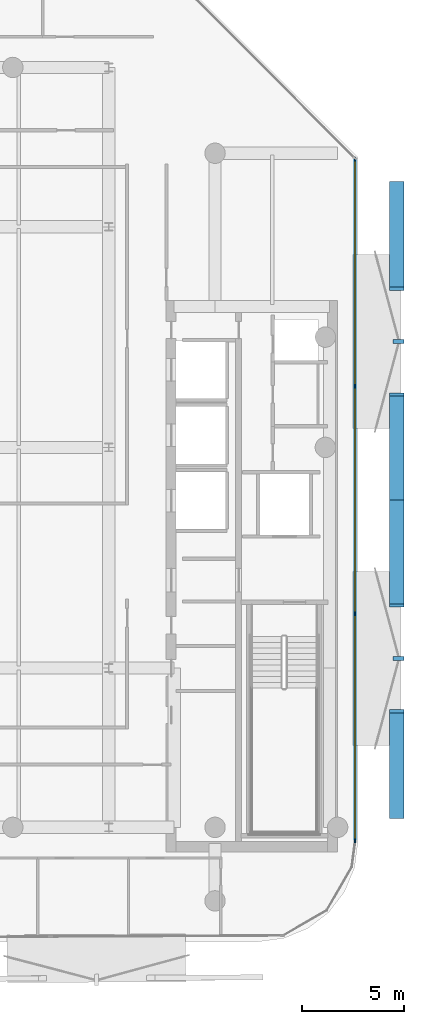
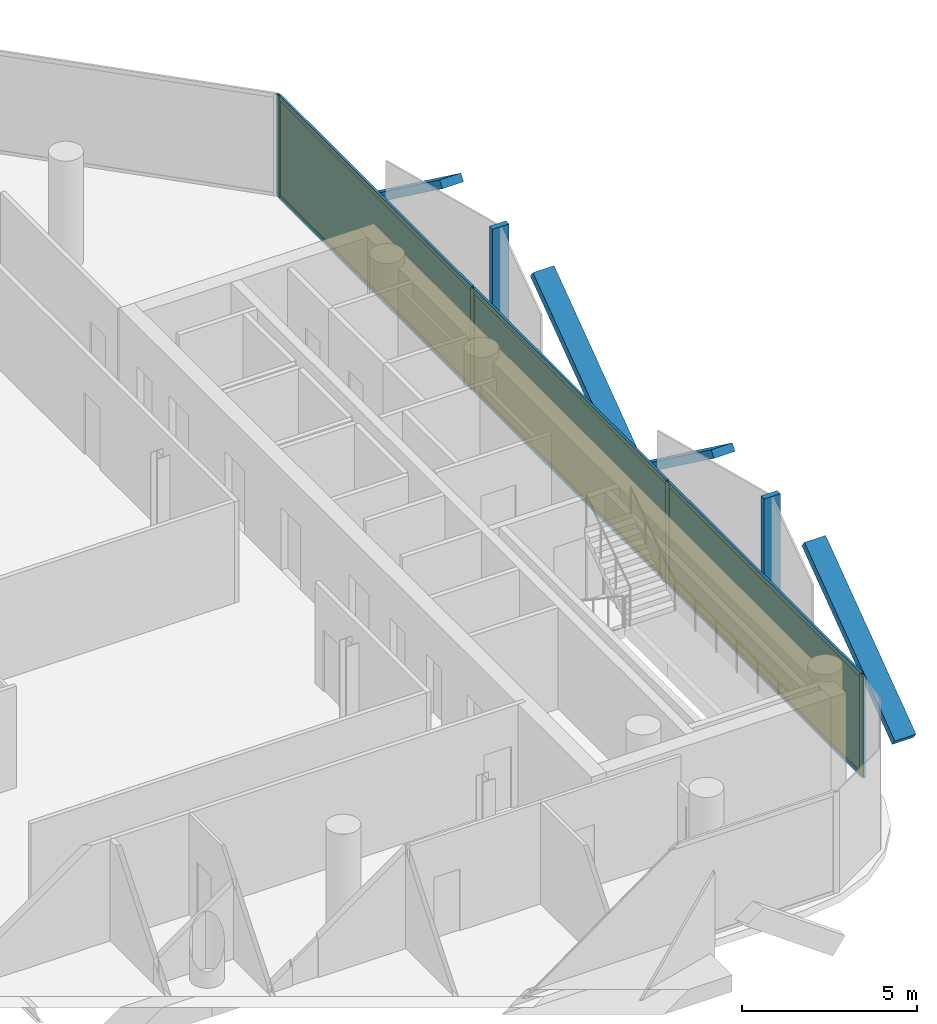
# One storey, part 11 of 16: 16 members, 3 plates, 1 curtain wall.
"""IFC4 building model written with IfcOpenShell, lengths in metres."""

import ifcopenshell
import ifcopenshell.guid

model = None  # the IFC model being written
_history = None  # IfcOwnerHistory: only IFC2X3 demands one
_inside = {}  # id of a spatial element -> (the spatial element, [elements in it])
_under = {}  # id of a project, library or spatial element -> (it, [spatial elements below it])
_declared = {}  # id of a project -> (the project, [libraries it declares])
_typed = {}  # id of a type object -> (the type object, [elements of that type])
_made_of = {}  # id of a material, layer set ... -> (it, [elements and type objects made of it])


def new_model(schema):
    """Start an empty IFC model of exactly this schema.

    Asked for "IFC4X3", IfcOpenShell would pick the latest addendum, in which some entities
    have other attributes; the version numbers below select the first issue.
    IFC2X3 requires an IfcOwnerHistory on every rooted entity: one is made here for all.
    """
    global model, _history
    if schema == "IFC4X3":
        model = ifcopenshell.file(schema_version=(4, 3, 0, 0))
    else:
        model = ifcopenshell.file(schema=schema)
    _inside.clear()
    _under.clear()
    _declared.clear()
    _typed.clear()
    _made_of.clear()
    _history = None
    if model.schema == "IFC2X3":
        org = make("IfcOrganization", Name="unknown")
        user = make(
            "IfcPersonAndOrganization",
            ThePerson=make("IfcPerson", FamilyName="unknown"),
            TheOrganization=org,
        )
        app = make(
            "IfcApplication",
            ApplicationDeveloper=org,
            Version="unknown",
            ApplicationFullName="unknown",
            ApplicationIdentifier="unknown",
        )
        _history = make(
            "IfcOwnerHistory",
            OwningUser=user,
            OwningApplication=app,
            ChangeAction="ADDED",
            CreationDate=0,
        )
    return model


def make(cls, **values):
    """One entity of the class cls with the attributes given. An attribute that is None is left unset."""
    return model.create_entity(
        cls, **{name: value for name, value in values.items() if value is not None}
    )


def rooted(cls, **values):
    """An entity with a GlobalId (a new one), such as an element, a storey or a relation."""
    return make(cls, GlobalId=ifcopenshell.guid.new(), OwnerHistory=_history, **values)


def si_unit(unit_type, name, prefix=None):
    """IfcSIUnit, for example si_unit("LENGTHUNIT", "METRE", prefix="MILLI")."""
    return make("IfcSIUnit", UnitType=unit_type, Prefix=prefix, Name=name)


def assignment(units):
    """IfcUnitAssignment: the units of a project."""
    return None if units is None else make("IfcUnitAssignment", Units=units)


def point(xyz):
    """IfcCartesianPoint."""
    return None if xyz is None else make("IfcCartesianPoint", Coordinates=xyz)


def direction(xyz):
    """IfcDirection."""
    return None if xyz is None else make("IfcDirection", DirectionRatios=xyz)


def frame(location, z_axis=None, x_axis=None):
    """IfcAxis2Placement3D, a coordinate frame: its origin and axes. An axis left out is left unset."""
    return make(
        "IfcAxis2Placement3D",
        Location=point(location),
        Axis=direction(z_axis),
        RefDirection=direction(x_axis),
    )


def frame_2d(location, x_axis=None):
    """IfcAxis2Placement2D, a coordinate frame in the plane: its origin and x axis."""
    return make(
        "IfcAxis2Placement2D", Location=point(location), RefDirection=direction(x_axis)
    )


def origin():
    """The frame at (0, 0, 0) with its axes left unset."""
    return frame((0.0, 0.0, 0.0))


def origin_2d():
    """The frame at (0, 0) in the plane with its x axis left unset."""
    return frame_2d((0.0, 0.0))


def place(relative_to, where):
    """IfcLocalPlacement: puts the frame where relative to a parent placement (None: the world)."""
    return make(
        "IfcLocalPlacement", PlacementRelTo=relative_to, RelativePlacement=where
    )


def context(
    kind, dimensions, precision=None, world=None, true_north=None, identifier=None
):
    """IfcGeometricRepresentationContext, for example the 3D "Model" context."""
    return make(
        "IfcGeometricRepresentationContext",
        ContextIdentifier=identifier,
        ContextType=kind,
        CoordinateSpaceDimension=dimensions,
        Precision=precision,
        WorldCoordinateSystem=world,
        TrueNorth=true_north,
    )


def subcontext(parent, identifier, kind, view, scale=None):
    """IfcGeometricRepresentationSubContext, for example "Body" below "Model"."""
    return make(
        "IfcGeometricRepresentationSubContext",
        ContextIdentifier=identifier,
        ContextType=kind,
        ParentContext=parent,
        TargetScale=scale,
        TargetView=view,
    )


def project(units=None, contexts=None):
    """IfcProject with its units and contexts."""
    return rooted(
        "IfcProject",
        Name="project",
        RepresentationContexts=contexts,
        UnitsInContext=assignment(units),
    )


def spatial(cls, under=None, at=None, **own):
    """A site, building, storey or space (cls), placed at a placement, below another one or the project."""
    s = rooted(cls, ObjectPlacement=at, **own)
    if under is not None:
        _under.setdefault(under.id(), (under, []))[1].append(s)
    return s


def profile(cls, at=None, kind="AREA", **sizes):
    """A parametric profile (cls). Its sizes go by their IFC names, for example OverallWidth=200.0."""
    return make(cls, ProfileType=kind, Position=at, **sizes)


def rectangle(**sizes):
    """IfcRectangleProfileDef."""
    return profile("IfcRectangleProfileDef", **sizes)


def extrude(swept, where, along, depth):
    """IfcExtrudedAreaSolid: the profile swept, set in the frame where, extruded along a direction by depth."""
    return make(
        "IfcExtrudedAreaSolid",
        SweptArea=swept,
        Position=where,
        ExtrudedDirection=direction(along),
        Depth=depth,
    )


def shape(context_of_items, identifier, shape_type, items):
    """IfcShapeRepresentation: the items that make up one representation, for example the "Body"."""
    return make(
        "IfcShapeRepresentation",
        ContextOfItems=context_of_items,
        RepresentationIdentifier=identifier,
        RepresentationType=shape_type,
        Items=items,
    )


def material(Name=None, Category=None):
    """IfcMaterial."""
    return make("IfcMaterial", Name=Name, Category=Category)


def layer(
    of_material, thickness, ventilated=None, Name=None, Category=None, Priority=None
):
    """IfcMaterialLayer: one layer of a wall or slab, of a material (None: an air gap)."""
    return make(
        "IfcMaterialLayer",
        Material=of_material,
        LayerThickness=thickness,
        IsVentilated=ventilated,
        Name=Name,
        Category=Category,
        Priority=Priority,
    )


def layer_set(layers, Name=None):
    """IfcMaterialLayerSet."""
    return make("IfcMaterialLayerSet", MaterialLayers=layers, LayerSetName=Name)


def material_profile(
    of_material, cross_section, Name=None, Category=None, Priority=None
):
    """IfcMaterialProfile: a cross section and its material."""
    return make(
        "IfcMaterialProfile",
        Name=Name,
        Material=of_material,
        Profile=cross_section,
        Priority=Priority,
        Category=Category,
    )


def profile_set(profiles, Name=None, composite=None):
    """IfcMaterialProfileSet."""
    return make(
        "IfcMaterialProfileSet",
        Name=Name,
        MaterialProfiles=profiles,
        CompositeProfile=composite,
    )


def made_of(thing, what):
    """Note that an element or type object is made of a material, layer set ...; save() writes the relation."""
    if what is not None:
        _made_of.setdefault(what.id(), (what, []))[1].append(thing)
    return thing


def type_object(cls, material=None, **own):
    """A type object (cls), such as IfcWallType, which elements share."""
    return made_of(rooted(cls, **own), material)


def element(
    cls,
    number,
    at=None,
    inside=None,
    cuts=None,
    type_object=None,
    material=None,
    context=None,
    identifier="Body",
    shape_type=None,
    held_by="IfcProductDefinitionShape",
    body=None,
    shapes=None,
    **own,
):
    """One element of the class cls, such as IfcWall. Its Tag is "e" and its number.

    at: its placement. inside: the storey or other place that contains it. cuts: it is an
    opening in that element (IfcRelVoidsElement). A single representation is given by context,
    identifier, shape_type and body (its items); several are given by shapes. held_by: the class
    of the entity that holds the representations. save() writes the other relations.
    """
    e = rooted(cls, Tag="e%d" % number, ObjectPlacement=at, **own)
    if body is not None:
        shapes = [shape(context, identifier, shape_type, body)]
    if shapes is not None:
        e.Representation = make(held_by, Representations=shapes)
    if inside is not None:
        _inside.setdefault(inside.id(), (inside, []))[1].append(e)
    if cuts is not None:
        rooted(
            "IfcRelVoidsElement", RelatingBuildingElement=cuts, RelatedOpeningElement=e
        )
    if type_object is not None:
        _typed.setdefault(type_object.id(), (type_object, []))[1].append(e)
    return made_of(e, material)


def aggregate(whole, parts):
    """IfcRelAggregates: a whole, such as a stair, and the parts it consists of."""
    return rooted("IfcRelAggregates", RelatingObject=whole, RelatedObjects=parts)


def save(model, path):
    """Write the relations noted so far, then the file.

    IfcRelAggregates (storeys below a building ...), IfcRelContainedInSpatialStructure (elements
    in a storey), IfcRelDefinesByType, IfcRelAssociatesMaterial and IfcRelDeclares: one each for
    every whole, place, type object, material and project.
    """
    for whole, parts in _under.values():
        aggregate(whole, parts)
    for where, things in _inside.values():
        rooted(
            "IfcRelContainedInSpatialStructure",
            RelatedElements=things,
            RelatingStructure=where,
        )
    for kind, things in _typed.values():
        rooted("IfcRelDefinesByType", RelatedObjects=things, RelatingType=kind)
    for what, things in _made_of.values():
        rooted("IfcRelAssociatesMaterial", RelatedObjects=things, RelatingMaterial=what)
    for by, libraries in _declared.values():
        rooted("IfcRelDeclares", RelatingContext=by, RelatedDefinitions=libraries)
    model.write(path)


model = new_model("IFC4")

# Units and contexts
model_context = context("Model", 3, precision=1e-05, world=origin(), true_north=direction((0.0, 1.0)))
body_context = subcontext(model_context, "Body", "Model", "MODEL_VIEW")
ifc_project = project(units=[si_unit("LENGTHUNIT", "METRE"), si_unit("AREAUNIT", "SQUARE_METRE"), si_unit("VOLUMEUNIT", "CUBIC_METRE"), si_unit("PLANEANGLEUNIT", "RADIAN"), si_unit("MASSUNIT", "GRAM", prefix="KILO")], contexts=[model_context])

# Member
ifc_material_1 = material(Name="Anodised Bronze Aluminium 6063-T6", Category="aluminium")
ifc_material_profile_1 = material_profile(ifc_material_1, rectangle(XDim=0.260009765625, YDim=0.699951171875, at=origin_2d()))
ifc_profile_set_1 = profile_set([ifc_material_profile_1], Name="Anodised Bronze Aluminium 6063-T6")
member_type_1 = type_object("IfcMemberType", Name="Bronze Diamond Solar-Screen Lattice Rib BDL-700", PredefinedType="MULLION", material=ifc_profile_set_1)
site_placement = place(None, origin())
building_placement = place(site_placement, origin())
storey_placement = place(building_placement, frame((0.0, 0.0, 277.60009765625)))
member_1_placement = place(storey_placement, frame((23.300048828125, 12.94189453125, -0.130126953125), z_axis=(0.0, -0.805859216173, 0.592107189375), x_axis=(0.0, -0.592107189375, -0.805859216173)))
member_1 = element("IfcMember", 1, at=member_1_placement, type_object=member_type_1, Name="L66 Bronze Diamond Solar Screen Lattice Rib 460A", PredefinedType="MULLION", context=body_context, shape_type="SweptSolid", body=[
    extrude(rectangle(XDim=0.260009765625, YDim=0.699951171875, at=origin_2d()), origin(), (0.0, 0.0, 1.0), 6.417724609375),
])

member_2_placement = place(storey_placement, frame((23.300048828125, -2.574462890625, -0.130126953125), z_axis=(0.0, 0.805872552367, 0.592089038357), x_axis=(0.0, 0.592089038357, -0.805872552367)))
member_2 = element("IfcMember", 2, at=member_2_placement, type_object=member_type_1, Name="L66 Bronze Diamond Solar Screen Lattice Rib 460B", PredefinedType="MULLION", context=body_context, shape_type="SweptSolid", body=[
    extrude(rectangle(XDim=0.260009765625, YDim=0.699951171875, at=origin_2d()), origin(), (0.0, 0.0, 1.0), 6.41796875),
])

member_3_placement = place(storey_placement, frame((23.300048828125, -2.574462890625, -0.130126953125), z_axis=(0.0, -0.805872552367, 0.592089038357), x_axis=(0.0, -0.592089038357, -0.805872552367)))
member_3 = element("IfcMember", 3, at=member_3_placement, type_object=member_type_1, Name="L66 Bronze Diamond Solar Screen Lattice Rib 461A", PredefinedType="MULLION", context=body_context, shape_type="SweptSolid", body=[
    extrude(rectangle(XDim=0.260009765625, YDim=0.699951171875, at=origin_2d()), origin(), (0.0, 0.0, 1.0), 6.41796875),
])

member_4_placement = place(storey_placement, frame((23.300048828125, -18.0908203125, -0.130126953125), z_axis=(0.0, 0.805872552367, 0.592089038357), x_axis=(0.0, 0.592089038357, -0.805872552367)))
member_4 = element("IfcMember", 4, at=member_4_placement, type_object=member_type_1, Name="L66 Bronze Diamond Solar Screen Lattice Rib 461B", PredefinedType="MULLION", context=body_context, shape_type="SweptSolid", body=[
    extrude(rectangle(XDim=0.260009765625, YDim=0.699951171875, at=origin_2d()), origin(), (0.0, 0.0, 1.0), 6.41796875),
])

ifc_material_2 = material(Name="Anodised Bronze Aluminium 6063-T6", Category="aluminium")
ifc_material_profile_2 = material_profile(ifc_material_2, rectangle(XDim=0.179931640625, YDim=0.5400390625, at=origin_2d()))
ifc_profile_set_2 = profile_set([ifc_material_profile_2], Name="Anodised Bronze Aluminium 6063-T6")
member_type_2 = type_object("IfcMemberType", Name="Bronze Solar-Screen Vertical Fold Fin BSF-540", PredefinedType="MULLION", material=ifc_profile_set_2)
member_5_placement = place(storey_placement, frame((23.3798828125, 5.183837890625, -0.130126953125), z_axis=(0.0, 0.0, 1.0), x_axis=(0.0, -1.0, 0.0)))
member_5 = element("IfcMember", 5, at=member_5_placement, type_object=member_type_2, Name="L66 Bronze Solar Screen Vertical Fin 460", PredefinedType="MULLION", context=body_context, shape_type="SweptSolid", body=[
    extrude(rectangle(XDim=0.179931640625, YDim=0.5400390625, at=origin_2d()), origin(), (0.0, 0.0, 1.0), 3.800048828125),
])

member_6_placement = place(storey_placement, frame((23.3798828125, -10.33251953125, -0.130126953125), z_axis=(0.0, 0.0, 1.0), x_axis=(0.0, -1.0, 0.0)))
member_6 = element("IfcMember", 6, at=member_6_placement, type_object=member_type_2, Name="L66 Bronze Solar Screen Vertical Fin 461", PredefinedType="MULLION", context=body_context, shape_type="SweptSolid", body=[
    extrude(rectangle(XDim=0.179931640625, YDim=0.5400390625, at=origin_2d()), origin(), (0.0, 0.0, 1.0), 3.800048828125),
])

ifc_material_3 = material(Name="Anodised Bronze Aluminium 6063-T6", Category="aluminium")
ifc_material_profile_3 = material_profile(ifc_material_3, rectangle(XDim=0.074951171875, YDim=0.2099609375, at=origin_2d()))
ifc_profile_set_3 = profile_set([ifc_material_profile_3], Name="Anodised Bronze Aluminium 6063-T6")
member_type_3 = type_object("IfcMemberType", Name="CW-CRN Mullion 75x210", PredefinedType="MULLION", material=ifc_profile_set_3)
member_7_placement = place(storey_placement, frame((21.260009765625, 14.1044921875, 0.0), z_axis=(0.0, 0.0, 1.0), x_axis=(1.0, 0.0, 0.0)))
member_7 = element("IfcMember", 7, at=member_7_placement, type_object=member_type_3, Name="CW-CRN mullion 1", PredefinedType="MULLION", context=body_context, shape_type="SweptSolid", body=[
    extrude(rectangle(XDim=0.074951171875, YDim=0.2099609375, at=origin_2d()), origin(), (0.0, 0.0, 1.0), 3.539794921875),
])

member_8_placement = place(storey_placement, frame((21.260009765625, 2.997802734375, 0.0), z_axis=(0.0, 0.0, 1.0), x_axis=(1.0, 0.0, 0.0)))
member_8 = element("IfcMember", 8, at=member_8_placement, type_object=member_type_3, Name="CW-CRN mullion 2", PredefinedType="MULLION", context=body_context, shape_type="SweptSolid", body=[
    extrude(rectangle(XDim=0.074951171875, YDim=0.2099609375, at=origin_2d()), origin(), (0.0, 0.0, 1.0), 3.539794921875),
])

member_9_placement = place(storey_placement, frame((21.260009765625, -8.146484375, 0.0), z_axis=(0.0, 0.0, 1.0), x_axis=(1.0, 0.0, 0.0)))
member_9 = element("IfcMember", 9, at=member_9_placement, type_object=member_type_3, Name="CW-CRN mullion 3", PredefinedType="MULLION", context=body_context, shape_type="SweptSolid", body=[
    extrude(rectangle(XDim=0.074951171875, YDim=0.2099609375, at=origin_2d()), origin(), (0.0, 0.0, 1.0), 3.539794921875),
])

member_10_placement = place(storey_placement, frame((21.260009765625, -19.25341796875, 0.0), z_axis=(0.0, 0.0, 1.0), x_axis=(1.0, 0.0, 0.0)))
member_10 = element("IfcMember", 10, at=member_10_placement, type_object=member_type_3, Name="CW-CRN mullion 4", PredefinedType="MULLION", context=body_context, shape_type="SweptSolid", body=[
    extrude(rectangle(XDim=0.074951171875, YDim=0.2099609375, at=origin_2d()), origin(), (0.0, 0.0, 1.0), 3.539794921875),
])

ifc_material_4 = material(Name="Anodised Bronze Aluminium 6063-T6", Category="aluminium")
ifc_material_profile_4 = material_profile(ifc_material_4, rectangle(XDim=0.074951171875, YDim=0.1650390625, at=origin_2d()))
ifc_profile_set_4 = profile_set([ifc_material_profile_4], Name="Anodised Bronze Aluminium 6063-T6")
member_type_4 = type_object("IfcMemberType", Name="CW-CRN Transom 75x165", PredefinedType="USERDEFINED", material=ifc_profile_set_4)
member_11_placement = place(storey_placement, frame((21.260009765625, 14.06689453125, 0.037353515625), z_axis=(0.0, -1.0, 0.0), x_axis=(1.0, 0.0, 0.0)))
member_11 = element("IfcMember", 11, at=member_11_placement, type_object=member_type_4, Name="CW-CRN transom 1.1", ObjectType="TRANSOM", PredefinedType="USERDEFINED", context=body_context, shape_type="SweptSolid", body=[
    extrude(rectangle(XDim=0.074951171875, YDim=0.1650390625, at=origin_2d()), origin(), (0.0, 0.0, 1.0), 11.03173828125),
])

member_12_placement = place(storey_placement, frame((21.260009765625, 14.06689453125, 3.50244140625), z_axis=(0.0, -1.0, 0.0), x_axis=(1.0, 0.0, 0.0)))
member_12 = element("IfcMember", 12, at=member_12_placement, type_object=member_type_4, Name="CW-CRN transom 1.2", ObjectType="TRANSOM", PredefinedType="USERDEFINED", context=body_context, shape_type="SweptSolid", body=[
    extrude(rectangle(XDim=0.074951171875, YDim=0.1650390625, at=origin_2d()), origin(), (0.0, 0.0, 1.0), 11.03173828125),
])

member_13_placement = place(storey_placement, frame((21.260009765625, 2.960205078125, 0.037353515625), z_axis=(0.0, -1.0, 0.0), x_axis=(1.0, 0.0, 0.0)))
member_13 = element("IfcMember", 13, at=member_13_placement, type_object=member_type_4, Name="CW-CRN transom 2.1", ObjectType="TRANSOM", PredefinedType="USERDEFINED", context=body_context, shape_type="SweptSolid", body=[
    extrude(rectangle(XDim=0.074951171875, YDim=0.1650390625, at=origin_2d()), origin(), (0.0, 0.0, 1.0), 11.0693359375),
])

member_14_placement = place(storey_placement, frame((21.260009765625, 2.960205078125, 3.50244140625), z_axis=(0.0, -1.0, 0.0), x_axis=(1.0, 0.0, 0.0)))
member_14 = element("IfcMember", 14, at=member_14_placement, type_object=member_type_4, Name="CW-CRN transom 2.2", ObjectType="TRANSOM", PredefinedType="USERDEFINED", context=body_context, shape_type="SweptSolid", body=[
    extrude(rectangle(XDim=0.074951171875, YDim=0.1650390625, at=origin_2d()), origin(), (0.0, 0.0, 1.0), 11.0693359375),
])

member_15_placement = place(storey_placement, frame((21.260009765625, -8.18408203125, 0.037353515625), z_axis=(0.0, -1.0, 0.0), x_axis=(1.0, 0.0, 0.0)))
member_15 = element("IfcMember", 15, at=member_15_placement, type_object=member_type_4, Name="CW-CRN transom 3.1", ObjectType="TRANSOM", PredefinedType="USERDEFINED", context=body_context, shape_type="SweptSolid", body=[
    extrude(rectangle(XDim=0.074951171875, YDim=0.1650390625, at=origin_2d()), origin(), (0.0, 0.0, 1.0), 11.03173828125),
])

member_16_placement = place(storey_placement, frame((21.260009765625, -8.18408203125, 3.50244140625), z_axis=(0.0, -1.0, 0.0), x_axis=(1.0, 0.0, 0.0)))
member_16 = element("IfcMember", 16, at=member_16_placement, type_object=member_type_4, Name="CW-CRN transom 3.2", ObjectType="TRANSOM", PredefinedType="USERDEFINED", context=body_context, shape_type="SweptSolid", body=[
    extrude(rectangle(XDim=0.074951171875, YDim=0.1650390625, at=origin_2d()), origin(), (0.0, 0.0, 1.0), 11.03173828125),
])

# Plate
ifc_material_5 = material(Name="Low-E Solar Control Laminated Glass", Category="glass")
ifc_layer_1 = layer(ifc_material_5, 0.035888671875, Name="Low-E Solar Control Laminated Glass")
ifc_layer_set_1 = layer_set([ifc_layer_1], Name="Low-E Solar Control Laminated Glass")
plate_type = type_object("IfcPlateType", Name="CW-CRN Low-E Double Glazed Panel 36mm", PredefinedType="CURTAIN_PANEL", material=ifc_layer_set_1)
plate_1_placement = place(storey_placement, frame((21.260009765625, 8.551025390625, 0.0751953125), z_axis=(0.0, 0.0, 1.0), x_axis=(0.0, -1.0, 0.0)))
plate_1 = element("IfcPlate", 17, at=plate_1_placement, type_object=plate_type, Name="CW-CRN panel 1.1", PredefinedType="CURTAIN_PANEL", context=body_context, shape_type="SweptSolid", body=[
    extrude(rectangle(XDim=11.03173828125, YDim=0.035888671875, at=origin_2d()), origin(), (0.0, 0.0, 1.0), 3.389892578125),
])

plate_2_placement = place(storey_placement, frame((21.260009765625, -2.574462890625, 0.0751953125), z_axis=(0.0, 0.0, 1.0), x_axis=(0.0, -1.0, 0.0)))
plate_2 = element("IfcPlate", 18, at=plate_2_placement, type_object=plate_type, Name="CW-CRN panel 2.1", PredefinedType="CURTAIN_PANEL", context=body_context, shape_type="SweptSolid", body=[
    extrude(rectangle(XDim=11.0693359375, YDim=0.035888671875, at=origin_2d()), origin(), (0.0, 0.0, 1.0), 3.389892578125),
])

plate_3_placement = place(storey_placement, frame((21.260009765625, -13.699951171875, 0.0751953125), z_axis=(0.0, 0.0, 1.0), x_axis=(0.0, -1.0, 0.0)))
plate_3 = element("IfcPlate", 19, at=plate_3_placement, type_object=plate_type, Name="CW-CRN panel 3.1", PredefinedType="CURTAIN_PANEL", context=body_context, shape_type="SweptSolid", body=[
    extrude(rectangle(XDim=11.03173828125, YDim=0.035888671875, at=origin_2d()), origin(), (0.0, 0.0, 1.0), 3.389892578125),
])

# Site, building, storey
site = spatial("IfcSite", under=ifc_project, at=site_placement, CompositionType="ELEMENT")
building = spatial("IfcBuilding", under=site, at=building_placement, Name="Khairoan Windgate Tower", CompositionType="ELEMENT")
storey = spatial("IfcBuildingStorey", under=building, at=storey_placement, Name="L66", CompositionType="ELEMENT", Elevation=277.60009765625)

# Curtain wall
ifc_material_6 = material(Name="Anodised Bronze Aluminium 6063-T6", Category="aluminium")
ifc_layer_2 = layer(ifc_material_6, 0.2099609375, Name="Anodised Bronze Aluminium 6063-T6")
ifc_layer_set_2 = layer_set([ifc_layer_2], Name="Anodised Bronze Aluminium 6063-T6")
curtain_wall_type = type_object("IfcCurtainWallType", Name="Crown Observation and Vitrine Curtain Wall CW-CRN", PredefinedType="NOTDEFINED", material=ifc_layer_set_2)
curtain_wall_placement = place(storey_placement, frame((21.260009765625, 14.14208984375, 0.0), z_axis=(0.0, 0.0, 1.0), x_axis=(0.0, -1.0, 0.0)))
curtain_wall = element("IfcCurtainWall", 20, at=curtain_wall_placement, inside=storey, type_object=curtain_wall_type, Name="L66 Unitised Curtain Wall 9", PredefinedType="NOTDEFINED", context=body_context, shape_type="SweptSolid", body=[
    extrude(rectangle(XDim=33.432861328125, YDim=0.010009765625, at=frame_2d((16.71630859375, 0.0))), origin(), (0.0, 0.0, 1.0), 3.539794921875),
])

aggregate(curtain_wall, [member_7, member_8, member_9, member_10, member_11, member_12, plate_1, member_13, member_14, plate_2, member_15, member_16, plate_3, member_1, member_2, member_5, member_3, member_4, member_6])

save(model, "model.ifc")
